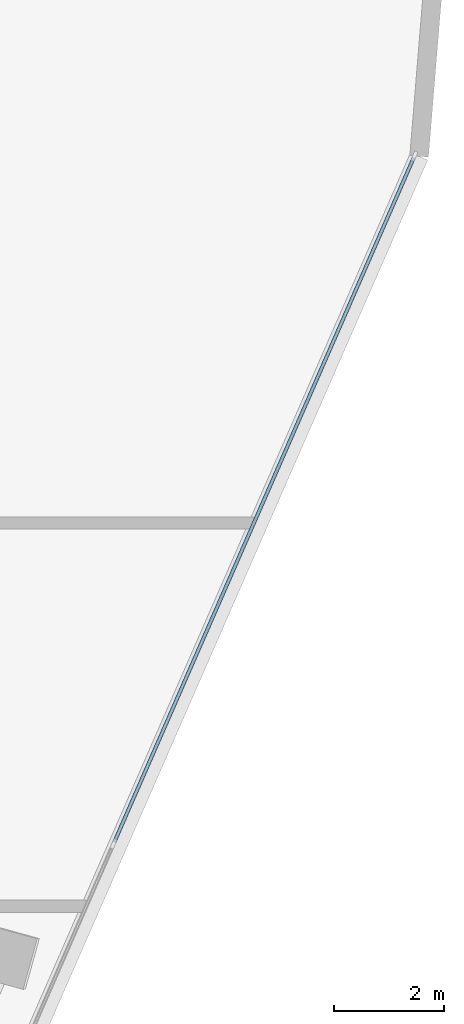
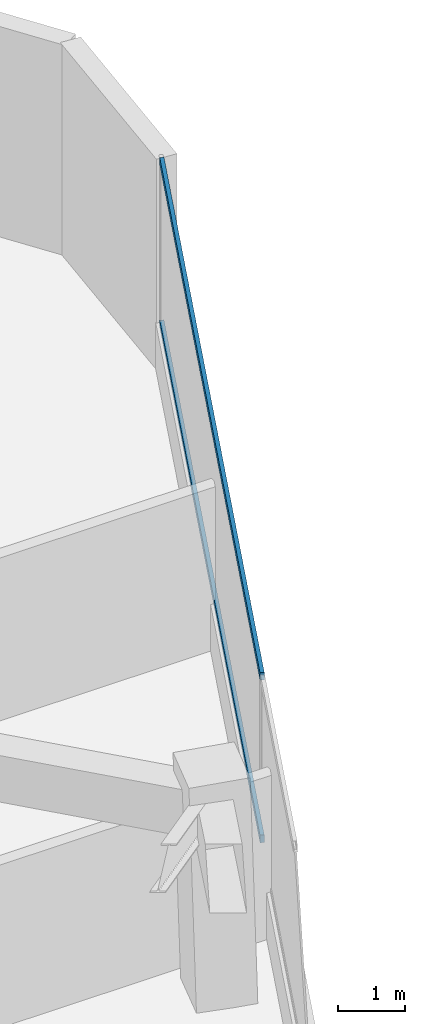
# One storey, part 11 of 20: 2 members, 1 element without a shape of its own.
"""IFC4 building model written with IfcOpenShell, lengths in metres."""

import ifcopenshell
import ifcopenshell.guid

model = None  # the IFC model being written
_history = None  # IfcOwnerHistory: only IFC2X3 demands one
_inside = {}  # id of a spatial element -> (the spatial element, [elements in it])
_under = {}  # id of a project, library or spatial element -> (it, [spatial elements below it])
_declared = {}  # id of a project -> (the project, [libraries it declares])
_typed = {}  # id of a type object -> (the type object, [elements of that type])
_made_of = {}  # id of a material, layer set ... -> (it, [elements and type objects made of it])


def new_model(schema):
    """Start an empty IFC model of exactly this schema.

    Asked for "IFC4X3", IfcOpenShell would pick the latest addendum, in which some entities
    have other attributes; the version numbers below select the first issue.
    IFC2X3 requires an IfcOwnerHistory on every rooted entity: one is made here for all.
    """
    global model, _history
    if schema == "IFC4X3":
        model = ifcopenshell.file(schema_version=(4, 3, 0, 0))
    else:
        model = ifcopenshell.file(schema=schema)
    _inside.clear()
    _under.clear()
    _declared.clear()
    _typed.clear()
    _made_of.clear()
    _history = None
    if model.schema == "IFC2X3":
        org = make("IfcOrganization", Name="unknown")
        user = make(
            "IfcPersonAndOrganization",
            ThePerson=make("IfcPerson", FamilyName="unknown"),
            TheOrganization=org,
        )
        app = make(
            "IfcApplication",
            ApplicationDeveloper=org,
            Version="unknown",
            ApplicationFullName="unknown",
            ApplicationIdentifier="unknown",
        )
        _history = make(
            "IfcOwnerHistory",
            OwningUser=user,
            OwningApplication=app,
            ChangeAction="ADDED",
            CreationDate=0,
        )
    return model


def make(cls, **values):
    """One entity of the class cls with the attributes given. An attribute that is None is left unset."""
    return model.create_entity(
        cls, **{name: value for name, value in values.items() if value is not None}
    )


def rooted(cls, **values):
    """An entity with a GlobalId (a new one), such as an element, a storey or a relation."""
    return make(cls, GlobalId=ifcopenshell.guid.new(), OwnerHistory=_history, **values)


def si_unit(unit_type, name, prefix=None):
    """IfcSIUnit, for example si_unit("LENGTHUNIT", "METRE", prefix="MILLI")."""
    return make("IfcSIUnit", UnitType=unit_type, Prefix=prefix, Name=name)


def assignment(units):
    """IfcUnitAssignment: the units of a project."""
    return None if units is None else make("IfcUnitAssignment", Units=units)


def point(xyz):
    """IfcCartesianPoint."""
    return None if xyz is None else make("IfcCartesianPoint", Coordinates=xyz)


def direction(xyz):
    """IfcDirection."""
    return None if xyz is None else make("IfcDirection", DirectionRatios=xyz)


def frame(location, z_axis=None, x_axis=None):
    """IfcAxis2Placement3D, a coordinate frame: its origin and axes. An axis left out is left unset."""
    return make(
        "IfcAxis2Placement3D",
        Location=point(location),
        Axis=direction(z_axis),
        RefDirection=direction(x_axis),
    )


def frame_2d(location, x_axis=None):
    """IfcAxis2Placement2D, a coordinate frame in the plane: its origin and x axis."""
    return make(
        "IfcAxis2Placement2D", Location=point(location), RefDirection=direction(x_axis)
    )


def origin():
    """The frame at (0, 0, 0) with its axes left unset."""
    return frame((0.0, 0.0, 0.0))


def origin_2d():
    """The frame at (0, 0) in the plane with its x axis left unset."""
    return frame_2d((0.0, 0.0))


def place(relative_to, where):
    """IfcLocalPlacement: puts the frame where relative to a parent placement (None: the world)."""
    return make(
        "IfcLocalPlacement", PlacementRelTo=relative_to, RelativePlacement=where
    )


def context(
    kind, dimensions, precision=None, world=None, true_north=None, identifier=None
):
    """IfcGeometricRepresentationContext, for example the 3D "Model" context."""
    return make(
        "IfcGeometricRepresentationContext",
        ContextIdentifier=identifier,
        ContextType=kind,
        CoordinateSpaceDimension=dimensions,
        Precision=precision,
        WorldCoordinateSystem=world,
        TrueNorth=true_north,
    )


def subcontext(parent, identifier, kind, view, scale=None):
    """IfcGeometricRepresentationSubContext, for example "Body" below "Model"."""
    return make(
        "IfcGeometricRepresentationSubContext",
        ContextIdentifier=identifier,
        ContextType=kind,
        ParentContext=parent,
        TargetScale=scale,
        TargetView=view,
    )


def project(units=None, contexts=None):
    """IfcProject with its units and contexts."""
    return rooted(
        "IfcProject",
        Name="project",
        RepresentationContexts=contexts,
        UnitsInContext=assignment(units),
    )


def spatial(cls, under=None, at=None, **own):
    """A site, building, storey or space (cls), placed at a placement, below another one or the project."""
    s = rooted(cls, ObjectPlacement=at, **own)
    if under is not None:
        _under.setdefault(under.id(), (under, []))[1].append(s)
    return s


def profile(cls, at=None, kind="AREA", **sizes):
    """A parametric profile (cls). Its sizes go by their IFC names, for example OverallWidth=200.0."""
    return make(cls, ProfileType=kind, Position=at, **sizes)


def rectangle(**sizes):
    """IfcRectangleProfileDef."""
    return profile("IfcRectangleProfileDef", **sizes)


def extrude(swept, where, along, depth):
    """IfcExtrudedAreaSolid: the profile swept, set in the frame where, extruded along a direction by depth."""
    return make(
        "IfcExtrudedAreaSolid",
        SweptArea=swept,
        Position=where,
        ExtrudedDirection=direction(along),
        Depth=depth,
    )


def shape(context_of_items, identifier, shape_type, items):
    """IfcShapeRepresentation: the items that make up one representation, for example the "Body"."""
    return make(
        "IfcShapeRepresentation",
        ContextOfItems=context_of_items,
        RepresentationIdentifier=identifier,
        RepresentationType=shape_type,
        Items=items,
    )


def material(Name=None, Category=None):
    """IfcMaterial."""
    return make("IfcMaterial", Name=Name, Category=Category)


def layer(
    of_material, thickness, ventilated=None, Name=None, Category=None, Priority=None
):
    """IfcMaterialLayer: one layer of a wall or slab, of a material (None: an air gap)."""
    return make(
        "IfcMaterialLayer",
        Material=of_material,
        LayerThickness=thickness,
        IsVentilated=ventilated,
        Name=Name,
        Category=Category,
        Priority=Priority,
    )


def layer_set(layers, Name=None):
    """IfcMaterialLayerSet."""
    return make("IfcMaterialLayerSet", MaterialLayers=layers, LayerSetName=Name)


def material_profile(
    of_material, cross_section, Name=None, Category=None, Priority=None
):
    """IfcMaterialProfile: a cross section and its material."""
    return make(
        "IfcMaterialProfile",
        Name=Name,
        Material=of_material,
        Profile=cross_section,
        Priority=Priority,
        Category=Category,
    )


def profile_set(profiles, Name=None, composite=None):
    """IfcMaterialProfileSet."""
    return make(
        "IfcMaterialProfileSet",
        Name=Name,
        MaterialProfiles=profiles,
        CompositeProfile=composite,
    )


def made_of(thing, what):
    """Note that an element or type object is made of a material, layer set ...; save() writes the relation."""
    if what is not None:
        _made_of.setdefault(what.id(), (what, []))[1].append(thing)
    return thing


def type_object(cls, material=None, **own):
    """A type object (cls), such as IfcWallType, which elements share."""
    return made_of(rooted(cls, **own), material)


def element(
    cls,
    number,
    at=None,
    inside=None,
    cuts=None,
    type_object=None,
    material=None,
    context=None,
    identifier="Body",
    shape_type=None,
    held_by="IfcProductDefinitionShape",
    body=None,
    shapes=None,
    **own,
):
    """One element of the class cls, such as IfcWall. Its Tag is "e" and its number.

    at: its placement. inside: the storey or other place that contains it. cuts: it is an
    opening in that element (IfcRelVoidsElement). A single representation is given by context,
    identifier, shape_type and body (its items); several are given by shapes. held_by: the class
    of the entity that holds the representations. save() writes the other relations.
    """
    e = rooted(cls, Tag="e%d" % number, ObjectPlacement=at, **own)
    if body is not None:
        shapes = [shape(context, identifier, shape_type, body)]
    if shapes is not None:
        e.Representation = make(held_by, Representations=shapes)
    if inside is not None:
        _inside.setdefault(inside.id(), (inside, []))[1].append(e)
    if cuts is not None:
        rooted(
            "IfcRelVoidsElement", RelatingBuildingElement=cuts, RelatedOpeningElement=e
        )
    if type_object is not None:
        _typed.setdefault(type_object.id(), (type_object, []))[1].append(e)
    return made_of(e, material)


def aggregate(whole, parts):
    """IfcRelAggregates: a whole, such as a stair, and the parts it consists of."""
    return rooted("IfcRelAggregates", RelatingObject=whole, RelatedObjects=parts)


def save(model, path):
    """Write the relations noted so far, then the file.

    IfcRelAggregates (storeys below a building ...), IfcRelContainedInSpatialStructure (elements
    in a storey), IfcRelDefinesByType, IfcRelAssociatesMaterial and IfcRelDeclares: one each for
    every whole, place, type object, material and project.
    """
    for whole, parts in _under.values():
        aggregate(whole, parts)
    for where, things in _inside.values():
        rooted(
            "IfcRelContainedInSpatialStructure",
            RelatedElements=things,
            RelatingStructure=where,
        )
    for kind, things in _typed.values():
        rooted("IfcRelDefinesByType", RelatedObjects=things, RelatingType=kind)
    for what, things in _made_of.values():
        rooted("IfcRelAssociatesMaterial", RelatedObjects=things, RelatingMaterial=what)
    for by, libraries in _declared.values():
        rooted("IfcRelDeclares", RelatingContext=by, RelatedDefinitions=libraries)
    model.write(path)


model = new_model("IFC4")

# Units and contexts
model_context = context("Model", 3, precision=1e-05, world=origin(), true_north=direction((0.0, 1.0)))
body_context = subcontext(model_context, "Body", "Model", "MODEL_VIEW")
ifc_project = project(units=[si_unit("LENGTHUNIT", "METRE"), si_unit("AREAUNIT", "SQUARE_METRE"), si_unit("VOLUMEUNIT", "CUBIC_METRE"), si_unit("PLANEANGLEUNIT", "RADIAN"), si_unit("MASSUNIT", "GRAM", prefix="KILO")], contexts=[model_context])

# Site, building, storey
site_placement = place(None, origin())
site = spatial("IfcSite", under=ifc_project, at=site_placement, CompositionType="ELEMENT")
building_placement = place(site_placement, origin())
building = spatial("IfcBuilding", under=site, at=building_placement, Name="Talyreon Biosciences Tower", CompositionType="ELEMENT")
storey_placement = place(building_placement, frame((0.0, 0.0, 66.60009765625)))
storey = spatial("IfcBuildingStorey", under=building, at=storey_placement, Name="L17", CompositionType="ELEMENT", Elevation=66.60009765625)

# Curtain wall, members
ifc_material_1 = material(Name="Thermally broken aluminium and low-E glazing", Category="aluminium")
ifc_layer = layer(ifc_material_1, 0.195068359375)
ifc_layer_set = layer_set([ifc_layer], Name="Thermally broken aluminium and low-E glazing")
curtain_wall_type = type_object("IfcCurtainWallType", Name="CurtainWall_Zone1WetLab", PredefinedType="NOTDEFINED", material=ifc_layer_set)
curtain_wall_placement = place(storey_placement, origin())
curtain_wall = element("IfcCurtainWall", 1, at=curtain_wall_placement, inside=storey, type_object=curtain_wall_type, Name="L17 Unitised Curtain Wall FCW-L17-08", PredefinedType="NOTDEFINED")
ifc_material_2 = material(Name="Anodised thermally broken aluminium", Category="aluminium")
ifc_material_profile = material_profile(ifc_material_2, rectangle(XDim=0.06494140625, YDim=0.139892578125, at=origin_2d()), Name="ALUM TRANSOM 65x140")
ifc_profile_set = profile_set([ifc_material_profile], Name="Anodised thermally broken aluminium")
member_type = type_object("IfcMemberType", Name="CWTransom_65x140", PredefinedType="USERDEFINED", material=ifc_profile_set)
member_1_placement = place(storey_placement, frame((98.0146484375, 83.775146484375, 0.84228515625), z_axis=(-0.400830177027, -0.916152372253, 0.0), x_axis=(0.916152372253, -0.400830177027, 0.0)))
member_1 = element("IfcMember", 2, at=member_1_placement, type_object=member_type, Name="CW2 transom 1.1", ObjectType="TRANSOM", PredefinedType="USERDEFINED", context=body_context, shape_type="SweptSolid", body=[
    extrude(rectangle(XDim=0.06494140625, YDim=0.139892578125, at=origin_2d()), origin(), (0.0, 0.0, 1.0), 13.549072265625),
])
member_2_placement = place(storey_placement, frame((98.0146484375, 83.775146484375, 3.8173828125), z_axis=(-0.400830177027, -0.916152372253, 0.0), x_axis=(0.916152372253, -0.400830177027, 0.0)))
member_2 = element("IfcMember", 3, at=member_2_placement, type_object=member_type, Name="CW2 transom 1.2", ObjectType="TRANSOM", PredefinedType="USERDEFINED", context=body_context, shape_type="SweptSolid", body=[
    extrude(rectangle(XDim=0.06494140625, YDim=0.139892578125, at=origin_2d()), origin(), (0.0, 0.0, 1.0), 13.549072265625),
])
aggregate(curtain_wall, [member_1, member_2])

save(model, "model.ifc")
